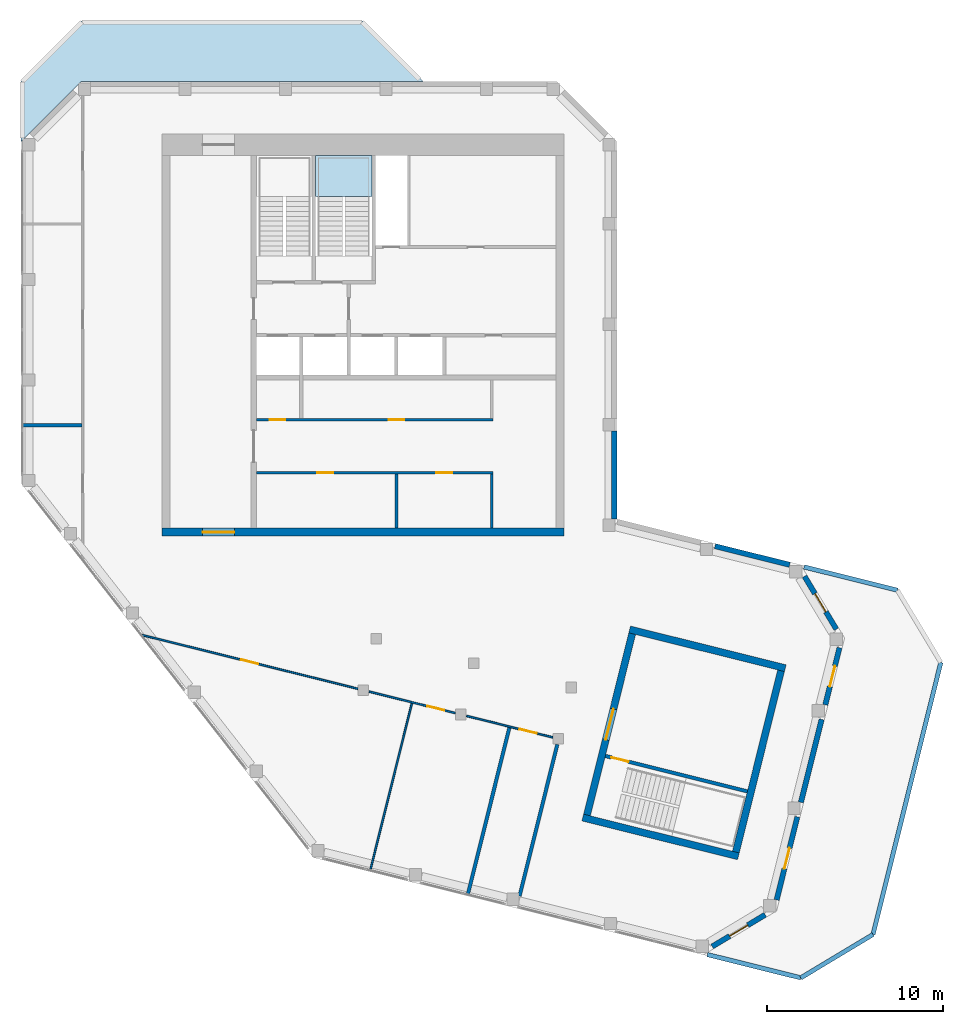
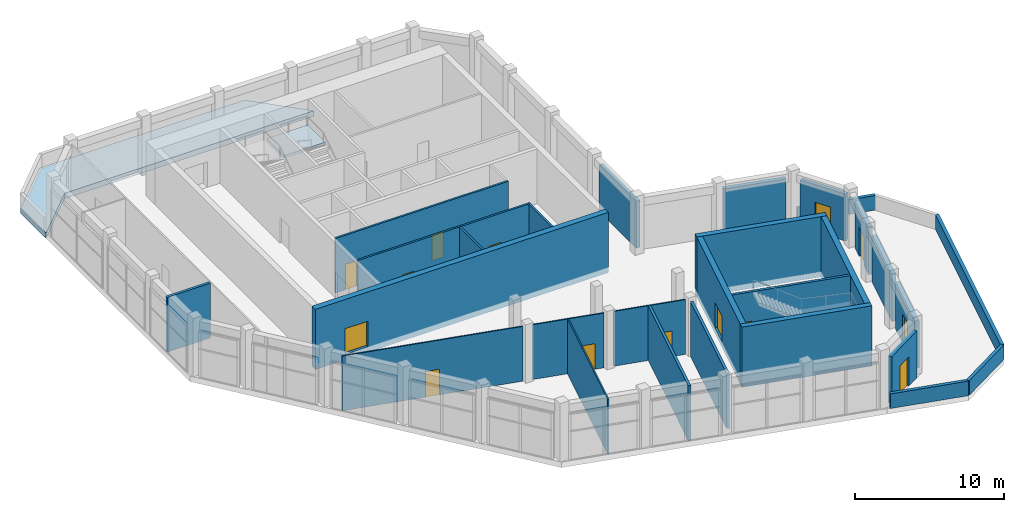
# One storey, part 7 of 10: 28 walls, 14 doors, 2 slabs, 14 openings, 1 element without a shape of its own.
"""IFC4 building model written with IfcOpenShell, lengths in metres."""

from ifc_helpers import new_model, si_unit, direction, frame, frame_2d, origin, place, context, subcontext, project, spatial, polyline, rectangle, outline, extrude, material, layer, layer_set, type_object, element, fill, aggregate, save


model = new_model("IFC4")

# Units and contexts
model_context = context("Model", 3, precision=1e-05, world=origin(), true_north=direction((0.0, 1.0)))
body_context = subcontext(model_context, "Body", "Model", "MODEL_VIEW")
ifc_project = project(units=[si_unit("LENGTHUNIT", "METRE"), si_unit("AREAUNIT", "SQUARE_METRE"), si_unit("VOLUMEUNIT", "CUBIC_METRE"), si_unit("PLANEANGLEUNIT", "RADIAN"), si_unit("MASSUNIT", "GRAM", prefix="KILO")], contexts=[model_context])

# Site, building, storey
site_placement = place(None, origin())
site = spatial("IfcSite", under=ifc_project, at=site_placement, CompositionType="ELEMENT")
building_placement = place(site_placement, origin())
building = spatial("IfcBuilding", under=site, at=building_placement, Name="Meshkara Civic Tower", CompositionType="ELEMENT")
storey_placement = place(building_placement, frame((0.0, 0.0, 419.39990234375)))
storey = spatial("IfcBuildingStorey", under=building, at=storey_placement, Name="L96 Crown", CompositionType="ELEMENT", Elevation=419.39990234375)

# Stair, slab
ifc_material_1 = material(Name="Precast concrete C40/50", Category="concrete")
stair_type = type_object("IfcStairType", Name="Exit stair half-turn 26 risers precast", PredefinedType="HALF_TURN_STAIR", material=ifc_material_1)
stair_placement = place(storey_placement, origin())
stair = element("IfcStair", 1, at=stair_placement, inside=storey, type_object=stair_type, Name="L96 Crown exit stair 2", PredefinedType="HALF_TURN_STAIR")
ifc_material_2 = material(Name="Precast concrete C40/50", Category="concrete")
ifc_layer_1 = layer(ifc_material_2, 0.199951171875)
ifc_layer_set_1 = layer_set([ifc_layer_1], Name="Exit stair landing 200")
slab_type_1 = type_object("IfcSlabType", Name="Exit stair landing 200", PredefinedType="LANDING", material=ifc_layer_set_1)
slab_1_placement = place(storey_placement, frame((0.0, 0.0, 2.2001953125)))
slab_1 = element("IfcSlab", 2, at=slab_1_placement, type_object=slab_type_1, Name="ST2 landing 1", PredefinedType="LANDING", context=body_context, shape_type="SweptSolid", body=[
    extrude(outline(polyline([(19.89990234375, 33.3583984375), (19.89990234375, 35.699951171875), (16.699951171875, 35.699951171875), (16.699951171875, 33.3583984375), (19.89990234375, 33.3583984375)])), origin(), (0.0, 0.0, 1.0), 0.199951171875),
])
aggregate(stair, [slab_1])

# Slab
ifc_material_3 = material(Name="Concrete C50", Category="concrete")
ifc_layer_2 = layer(ifc_material_3, 0.449951171875)
ifc_layer_set_2 = layer_set([ifc_layer_2], Name="Terrace slab 450 C50")
slab_type_2 = type_object("IfcSlabType", Name="Terrace slab 450 C50", PredefinedType="ROOF", material=ifc_layer_set_2)
slab_2_placement = place(storey_placement, frame((0.0, 0.0, -0.449951171875)))
element("IfcSlab", 3, at=slab_2_placement, inside=storey, type_object=slab_type_2, Name="Terrace slab L96 Crown", PredefinedType="ROOF", context=body_context, shape_type="SweptSolid", body=[
    extrude(outline(polyline([(3.419921875, 43.320068359375), (19.3798828125, 43.320068359375), (22.800048828125, 39.89990234375), (3.419921875, 39.89990234375), (0.0, 36.47998046875), (0.0, 39.89990234375), (3.419921875, 43.320068359375)])), origin(), (0.0, 0.0, 1.0), 0.449951171875),
])

# Walls
ifc_material_4 = material(Name="Insulated infill panel with bronze anodised aluminium cladding", Category="aluminium")
ifc_layer_3 = layer(ifc_material_4, 0.300048828125)
ifc_layer_set_3 = layer_set([ifc_layer_3], Name="CROWN WALL 300")
wall_type_1 = type_object("IfcWallType", Name="CROWN WALL 300", PredefinedType="SOLIDWALL", material=ifc_layer_set_3)
wall_1_placement = place(storey_placement, frame((43.60205078125, 12.471923828125, 0.0), z_axis=(0.0, 0.0, 1.0), x_axis=(-0.970257492536, 0.242075191166, 0.0)))
element("IfcWall", 4, at=wall_1_placement, inside=storey, type_object=wall_type_1, Name="Crown external wall", PredefinedType="SOLIDWALL", context=body_context, shape_type="SweptSolid", body=[
    extrude(rectangle(XDim=4.366943359375, YDim=0.300048828125, at=frame_2d((2.18359375, 0.0))), origin(), (0.0, 0.0, 1.0), 3.85009765625),
])
wall_2_placement = place(storey_placement, frame((33.64990234375, 15.069091796875, 0.0), z_axis=(0.0, 0.0, 1.0), x_axis=(0.0, 1.0, 0.0)))
element("IfcWall", 5, at=wall_2_placement, inside=storey, type_object=wall_type_1, Name="Crown external wall", PredefinedType="SOLIDWALL", context=body_context, shape_type="SweptSolid", body=[
    extrude(rectangle(XDim=5.0, YDim=0.300048828125, at=frame_2d((2.5, 0.0))), origin(), (0.0, 0.0, 1.0), 3.85009765625),
])

# Wall, opening, door
wall_3_placement = place(storey_placement, frame((39.208984375, -9.180908203125, 0.0), z_axis=(0.0, 0.0, 1.0), x_axis=(0.857216082003, 0.514956880481, 0.0)))
wall_3 = element("IfcWall", 6, at=wall_3_placement, inside=storey, type_object=wall_type_1, Name="Crown external wall", PredefinedType="SOLIDWALL", context=body_context, shape_type="SweptSolid", body=[
    extrude(rectangle(XDim=3.503173828125, YDim=0.300048828125, at=frame_2d((1.75146484375, 0.0))), origin(), (0.0, 0.0, 1.0), 3.85009765625),
])
opening_1_placement = place(wall_3_placement, frame((1.152099609375, 0.0, 0.0)))
opening_1 = element("IfcOpeningElement", 7, at=opening_1_placement, cuts=wall_3, Name="Opening L96 Crown-L001", PredefinedType="OPENING", context=body_context, shape_type="SweptSolid", body=[
    extrude(rectangle(XDim=1.199951171875, YDim=2.39990234375, at=frame_2d((0.60009765625, 1.199951171875))), frame((0.0, 0.159912109375, 0.0), z_axis=(0.0, -1.0, 0.0), x_axis=(1.0, 0.0, 0.0)), (0.0, 0.0, 1.0), 0.320068359375),
])
ifc_material_5 = material(Name="Steel S355", Category="steel")
door_type_1 = type_object("IfcDoorType", Name="ROOF ACCESS DOOR 1200x2400", OperationType="SINGLE_SWING_LEFT", PredefinedType="DOOR", material=ifc_material_5)
door_1_placement = place(opening_1_placement, origin())
door_1 = element("IfcDoor", 8, at=door_1_placement, inside=storey, type_object=door_type_1, Name="L96 Crown-L001", OperationType="SINGLE_SWING_LEFT", OverallHeight=2.39990234375, OverallWidth=1.199951171875, PredefinedType="DOOR", context=body_context, shape_type="SweptSolid", body=[
    extrude(rectangle(XDim=1.199951171875, YDim=2.39990234375, at=frame_2d((0.60009765625, 1.199951171875))), frame((0.0, 0.02490234375, 0.0), z_axis=(0.0, -1.0, 0.0), x_axis=(1.0, 0.0, 0.0)), (0.0, 0.0, 1.0), 0.050048828125),
])
fill(opening_1, door_1)

wall_4_placement = place(storey_placement, frame((42.863037109375, -6.532958984375, 0.0), z_axis=(0.0, 0.0, 1.0), x_axis=(0.241967314076, 0.970284401049, 0.0)))
wall_4 = element("IfcWall", 9, at=wall_4_placement, inside=storey, type_object=wall_type_1, Name="Crown external wall", PredefinedType="SOLIDWALL", context=body_context, shape_type="SweptSolid", body=[
    extrude(rectangle(XDim=4.852294921875, YDim=0.300048828125, at=frame_2d((2.42626953125, 0.0))), origin(), (0.0, 0.0, 1.0), 3.85009765625),
])
opening_2_placement = place(wall_4_placement, frame((1.825927734375, 0.0, 0.0)))
opening_2 = element("IfcOpeningElement", 10, at=opening_2_placement, cuts=wall_4, Name="Opening L96 Crown-L002", PredefinedType="OPENING", context=body_context, shape_type="SweptSolid", body=[
    extrude(rectangle(XDim=1.199951171875, YDim=2.39990234375, at=frame_2d((0.60009765625, 1.199951171875))), frame((0.0, 0.159912109375, 0.0), z_axis=(0.0, -1.0, 0.0), x_axis=(1.0, 0.0, 0.0)), (0.0, 0.0, 1.0), 0.320068359375),
])
door_2_placement = place(opening_2_placement, origin())
door_2 = element("IfcDoor", 11, at=door_2_placement, inside=storey, type_object=door_type_1, Name="L96 Crown-L002", OperationType="SINGLE_SWING_LEFT", OverallHeight=2.39990234375, OverallWidth=1.199951171875, PredefinedType="DOOR", context=body_context, shape_type="SweptSolid", body=[
    extrude(rectangle(XDim=1.199951171875, YDim=2.39990234375, at=frame_2d((0.60009765625, 1.199951171875))), frame((0.0, 0.02490234375, 0.0), z_axis=(0.0, -1.0, 0.0), x_axis=(1.0, 0.0, 0.0)), (0.0, 0.0, 1.0), 0.050048828125),
])
fill(opening_2, door_2)

# Wall
wall_5_placement = place(storey_placement, frame((44.241943359375, -1.001953125, 0.0), z_axis=(0.0, 0.0, 1.0), x_axis=(0.242014574744, 0.970272614069, 0.0)))
element("IfcWall", 12, at=wall_5_placement, inside=storey, type_object=wall_type_1, Name="Crown external wall", PredefinedType="SOLIDWALL", context=body_context, shape_type="SweptSolid", body=[
    extrude(rectangle(XDim=4.851318359375, YDim=0.300048828125, at=frame_2d((2.42578125, 0.0))), origin(), (0.0, 0.0, 1.0), 3.85009765625),
])

# Wall, opening, door
wall_6_placement = place(storey_placement, frame((45.62109375, 4.528076171875, 0.0), z_axis=(0.0, 0.0, 1.0), x_axis=(0.241933464924, 0.970292841646, 0.0)))
wall_6 = element("IfcWall", 13, at=wall_6_placement, inside=storey, type_object=wall_type_1, Name="Crown external wall", PredefinedType="SOLIDWALL", context=body_context, shape_type="SweptSolid", body=[
    extrude(rectangle(XDim=3.339111328125, YDim=0.300048828125, at=frame_2d((1.66943359375, 0.0))), origin(), (0.0, 0.0, 1.0), 3.85009765625),
])
opening_3_placement = place(wall_6_placement, frame((1.069091796875, 0.0, 0.0)))
opening_3 = element("IfcOpeningElement", 14, at=opening_3_placement, cuts=wall_6, Name="Opening L96 Crown-L003", PredefinedType="OPENING", context=body_context, shape_type="SweptSolid", body=[
    extrude(rectangle(XDim=1.199951171875, YDim=2.39990234375, at=frame_2d((0.60009765625, 1.199951171875))), frame((0.0, 0.159912109375, 0.0), z_axis=(0.0, -1.0, 0.0), x_axis=(1.0, 0.0, 0.0)), (0.0, 0.0, 1.0), 0.320068359375),
])
door_3_placement = place(opening_3_placement, origin())
door_3 = element("IfcDoor", 15, at=door_3_placement, inside=storey, type_object=door_type_1, Name="L96 Crown-L003", OperationType="SINGLE_SWING_LEFT", OverallHeight=2.39990234375, OverallWidth=1.199951171875, PredefinedType="DOOR", context=body_context, shape_type="SweptSolid", body=[
    extrude(rectangle(XDim=1.199951171875, YDim=2.39990234375, at=frame_2d((0.60009765625, 1.199951171875))), frame((0.0, 0.02490234375, 0.0), z_axis=(0.0, -1.0, 0.0), x_axis=(1.0, 0.0, 0.0)), (0.0, 0.0, 1.0), 0.050048828125),
])
fill(opening_3, door_3)

wall_7_placement = place(storey_placement, frame((46.25, 8.818115234375, 0.0), z_axis=(0.0, 0.0, 1.0), x_axis=(-0.514956880481, 0.857216082003, 0.0)))
wall_7 = element("IfcWall", 16, at=wall_7_placement, inside=storey, type_object=wall_type_1, Name="Crown external wall", PredefinedType="SOLIDWALL", context=body_context, shape_type="SweptSolid", body=[
    extrude(rectangle(XDim=3.503173828125, YDim=0.300048828125, at=frame_2d((1.75146484375, 0.0))), origin(), (0.0, 0.0, 1.0), 3.85009765625),
])
opening_4_placement = place(wall_7_placement, frame((1.152099609375, 0.0, 0.0)))
opening_4 = element("IfcOpeningElement", 17, at=opening_4_placement, cuts=wall_7, Name="Opening L96 Crown-L004", PredefinedType="OPENING", context=body_context, shape_type="SweptSolid", body=[
    extrude(rectangle(XDim=1.199951171875, YDim=2.39990234375, at=frame_2d((0.60009765625, 1.199951171875))), frame((0.0, 0.159912109375, 0.0), z_axis=(0.0, -1.0, 0.0), x_axis=(1.0, 0.0, 0.0)), (0.0, 0.0, 1.0), 0.320068359375),
])
door_4_placement = place(opening_4_placement, origin())
door_4 = element("IfcDoor", 18, at=door_4_placement, inside=storey, type_object=door_type_1, Name="L96 Crown-L004", OperationType="SINGLE_SWING_LEFT", OverallHeight=2.39990234375, OverallWidth=1.199951171875, PredefinedType="DOOR", context=body_context, shape_type="SweptSolid", body=[
    extrude(rectangle(XDim=1.199951171875, YDim=2.39990234375, at=frame_2d((0.60009765625, 1.199951171875))), frame((0.0, 0.02490234375, 0.0), z_axis=(0.0, -1.0, 0.0), x_axis=(1.0, 0.0, 0.0)), (0.0, 0.0, 1.0), 0.050048828125),
])
fill(opening_4, door_4)

# Wall, openings, doors
ifc_material_6 = material(Name="Blockwork", Category="masonry")
ifc_layer_4 = layer(ifc_material_6, 0.14990234375)
ifc_layer_set_4 = layer_set([ifc_layer_4], Name="Core partition 150")
wall_type_2 = type_object("IfcWallType", Name="Core partition 150", PredefinedType="PARTITIONING", material=ifc_layer_set_4)
wall_8_placement = place(storey_placement, frame((13.35009765625, 17.699951171875, 0.0), z_axis=(0.0, 0.0, 1.0), x_axis=(1.0, 0.0, 0.0)))
wall_8 = element("IfcWall", 19, at=wall_8_placement, inside=storey, type_object=wall_type_2, Name="L96 Crown-C005", PredefinedType="PARTITIONING", context=body_context, shape_type="SweptSolid", body=[
    extrude(rectangle(XDim=13.4248046875, YDim=0.14990234375, at=frame_2d((6.71240234375, 0.0))), origin(), (0.0, 0.0, 1.0), 4.5),
])
opening_5_placement = place(wall_8_placement, frame((3.449951171875, 0.0, 0.0)))
opening_5 = element("IfcOpeningElement", 20, at=opening_5_placement, cuts=wall_8, Name="Opening L96 Crown-K005", PredefinedType="OPENING", context=body_context, shape_type="SweptSolid", body=[
    extrude(rectangle(XDim=0.89990234375, YDim=2.10009765625, at=frame_2d((0.449951171875, 1.050048828125))), frame((0.0, 0.0849609375, 0.0), z_axis=(0.0, -1.0, 0.0), x_axis=(1.0, 0.0, 0.0)), (0.0, 0.0, 1.0), 0.169921875),
])
opening_6_placement = place(wall_8_placement, frame((10.199951171875, 0.0, 0.0)))
opening_6 = element("IfcOpeningElement", 21, at=opening_6_placement, cuts=wall_8, Name="Opening L96 Crown-K006", PredefinedType="OPENING", context=body_context, shape_type="SweptSolid", body=[
    extrude(rectangle(XDim=0.89990234375, YDim=2.10009765625, at=frame_2d((0.449951171875, 1.050048828125))), frame((0.0, 0.0849609375, 0.0), z_axis=(0.0, -1.0, 0.0), x_axis=(1.0, 0.0, 0.0)), (0.0, 0.0, 1.0), 0.169921875),
])
ifc_material_7 = material(Name="Timber door leaf in steel frame", Category="steel")
door_type_2 = type_object("IfcDoorType", Name="Core room door 900", OperationType="SINGLE_SWING_LEFT", PredefinedType="DOOR", material=ifc_material_7)
door_5_placement = place(opening_5_placement, origin())
door_5 = element("IfcDoor", 22, at=door_5_placement, inside=storey, type_object=door_type_2, Name="L96 Crown-K005", OperationType="SINGLE_SWING_LEFT", OverallHeight=2.10009765625, OverallWidth=0.89990234375, PredefinedType="DOOR", context=body_context, shape_type="SweptSolid", body=[
    extrude(rectangle(XDim=0.89990234375, YDim=2.10009765625, at=frame_2d((0.449951171875, 1.050048828125))), frame((0.0, 0.02490234375, 0.0), z_axis=(0.0, -1.0, 0.0), x_axis=(1.0, 0.0, 0.0)), (0.0, 0.0, 1.0), 0.050048828125),
])
fill(opening_5, door_5)
door_6_placement = place(opening_6_placement, origin())
door_6 = element("IfcDoor", 23, at=door_6_placement, inside=storey, type_object=door_type_2, Name="L96 Crown-K006", OperationType="SINGLE_SWING_LEFT", OverallHeight=2.10009765625, OverallWidth=0.89990234375, PredefinedType="DOOR", context=body_context, shape_type="SweptSolid", body=[
    extrude(rectangle(XDim=0.89990234375, YDim=2.10009765625, at=frame_2d((0.449951171875, 1.050048828125))), frame((0.0, 0.02490234375, 0.0), z_axis=(0.0, -1.0, 0.0), x_axis=(1.0, 0.0, 0.0)), (0.0, 0.0, 1.0), 0.050048828125),
])
fill(opening_6, door_6)

wall_9_placement = place(storey_placement, frame((13.35009765625, 20.699951171875, 0.0), z_axis=(0.0, 0.0, 1.0), x_axis=(1.0, 0.0, 0.0)))
wall_9 = element("IfcWall", 24, at=wall_9_placement, inside=storey, type_object=wall_type_2, Name="L96 Crown-C006", PredefinedType="PARTITIONING", context=body_context, shape_type="SweptSolid", body=[
    extrude(rectangle(XDim=13.4248046875, YDim=0.14990234375, at=frame_2d((6.71240234375, 0.0))), origin(), (0.0, 0.0, 1.0), 4.5),
])
opening_7_placement = place(wall_9_placement, frame((0.75, 0.0, 0.0)))
opening_7 = element("IfcOpeningElement", 25, at=opening_7_placement, cuts=wall_9, Name="Opening L96 Crown-K007", PredefinedType="OPENING", context=body_context, shape_type="SweptSolid", body=[
    extrude(rectangle(XDim=0.89990234375, YDim=2.10009765625, at=frame_2d((0.449951171875, 1.050048828125))), frame((0.0, 0.0849609375, 0.0), z_axis=(0.0, -1.0, 0.0), x_axis=(1.0, 0.0, 0.0)), (0.0, 0.0, 1.0), 0.169921875),
])
opening_8_placement = place(wall_9_placement, frame((7.5, 0.0, 0.0)))
opening_8 = element("IfcOpeningElement", 26, at=opening_8_placement, cuts=wall_9, Name="Opening L96 Crown-K008", PredefinedType="OPENING", context=body_context, shape_type="SweptSolid", body=[
    extrude(rectangle(XDim=0.89990234375, YDim=2.10009765625, at=frame_2d((0.449951171875, 1.050048828125))), frame((0.0, 0.0849609375, 0.0), z_axis=(0.0, -1.0, 0.0), x_axis=(1.0, 0.0, 0.0)), (0.0, 0.0, 1.0), 0.169921875),
])
door_7_placement = place(opening_7_placement, origin())
door_7 = element("IfcDoor", 27, at=door_7_placement, inside=storey, type_object=door_type_2, Name="L96 Crown-K007", OperationType="SINGLE_SWING_RIGHT", OverallHeight=2.10009765625, OverallWidth=0.89990234375, PredefinedType="DOOR", context=body_context, shape_type="SweptSolid", body=[
    extrude(rectangle(XDim=0.89990234375, YDim=2.10009765625, at=frame_2d((0.449951171875, 1.050048828125))), frame((0.0, 0.02490234375, 0.0), z_axis=(0.0, -1.0, 0.0), x_axis=(1.0, 0.0, 0.0)), (0.0, 0.0, 1.0), 0.050048828125),
])
fill(opening_7, door_7)
door_8_placement = place(opening_8_placement, origin())
door_8 = element("IfcDoor", 28, at=door_8_placement, inside=storey, type_object=door_type_2, Name="L96 Crown-K008", OperationType="SINGLE_SWING_LEFT", OverallHeight=2.10009765625, OverallWidth=0.89990234375, PredefinedType="DOOR", context=body_context, shape_type="SweptSolid", body=[
    extrude(rectangle(XDim=0.89990234375, YDim=2.10009765625, at=frame_2d((0.449951171875, 1.050048828125))), frame((0.0, 0.02490234375, 0.0), z_axis=(0.0, -1.0, 0.0), x_axis=(1.0, 0.0, 0.0)), (0.0, 0.0, 1.0), 0.050048828125),
])
fill(opening_8, door_8)

# Walls
for number, where, z_axis, x_axis, name in (
    (29, (21.300048828125, 14.550048828125, 0.0), (0.0, 0.0, 1.0), (0.0, 1.0, 0.0), "L96 Crown-C016"),
    (30, (26.699951171875, 14.550048828125, 0.0), (0.0, 0.0, 1.0), (0.0, 1.0, 0.0), "L96 Crown-C020"),
):
    element("IfcWall", number, at=place(storey_placement, frame(where, z_axis=z_axis, x_axis=x_axis)), inside=storey, type_object=wall_type_2, Name=name, PredefinedType="PARTITIONING", context=body_context, shape_type="SweptSolid", body=[
        extrude(rectangle(XDim=3.074951171875, YDim=0.14990234375, at=frame_2d((1.53759765625, 0.0))), origin(), (0.0, 0.0, 1.0), 4.5),
    ])

# Wall, opening, door
ifc_material_8 = material(Name="Concrete C50", Category="concrete")
ifc_layer_5 = layer(ifc_material_8, 0.449951171875)
ifc_layer_set_5 = layer_set([ifc_layer_5], Name="Core ring wall 450 C50")
wall_type_3 = type_object("IfcWallType", Name="Core ring wall 450 C50", PredefinedType="SHEAR", material=ifc_layer_set_5)
wall_10_placement = place(storey_placement, frame((8.0, 14.324951171875, -0.449951171875), z_axis=(0.0, 0.0, 1.0), x_axis=(1.0, 0.0, 0.0)))
wall_10 = element("IfcWall", 31, at=wall_10_placement, inside=storey, type_object=wall_type_3, Name="L96 Crown-C001", PredefinedType="SHEAR", context=body_context, shape_type="SweptSolid", body=[
    extrude(rectangle(XDim=22.800048828125, YDim=0.449951171875, at=frame_2d((11.39990234375, 0.0))), origin(), (0.0, 0.0, 1.0), 4.949951171875),
])
opening_9_placement = place(wall_10_placement, frame((2.300048828125, 0.0, 0.449951171875)))
opening_9 = element("IfcOpeningElement", 32, at=opening_9_placement, cuts=wall_10, Name="Opening L96 Crown-K018", PredefinedType="OPENING", context=body_context, shape_type="SweptSolid", body=[
    extrude(rectangle(XDim=1.800048828125, YDim=2.10009765625, at=frame_2d((0.89990234375, 1.050048828125))), frame((0.0, 0.23486328125, 0.0), z_axis=(0.0, -1.0, 0.0), x_axis=(1.0, 0.0, 0.0)), (0.0, 0.0, 1.0), 0.469970703125),
])
ifc_material_9 = material(Name="Fire-rated door leaf in steel frame", Category="steel")
door_type_3 = type_object("IfcDoorType", Name="Core double door 1800 EI 60", OperationType="DOUBLE_DOOR_SINGLE_SWING", PredefinedType="DOOR", material=ifc_material_9)
door_9_placement = place(opening_9_placement, origin())
door_9 = element("IfcDoor", 33, at=door_9_placement, inside=storey, type_object=door_type_3, Name="L96 Crown-K018", OperationType="DOUBLE_DOOR_SINGLE_SWING", OverallHeight=2.10009765625, OverallWidth=1.800048828125, PredefinedType="DOOR", context=body_context, shape_type="SweptSolid", body=[
    extrude(rectangle(XDim=1.800048828125, YDim=2.10009765625, at=frame_2d((0.89990234375, 1.050048828125))), frame((0.0, 0.02490234375, 0.0), z_axis=(0.0, -1.0, 0.0), x_axis=(1.0, 0.0, 0.0)), (0.0, 0.0, 1.0), 0.050048828125),
])
fill(opening_9, door_9)

ifc_material_10 = material(Name="Corridor wall 100")
ifc_layer_6 = layer(ifc_material_10, 0.10009765625)
ifc_layer_set_6 = layer_set([ifc_layer_6], Name="Corridor wall 100")
wall_type_4 = type_object("IfcWallType", Name="Corridor wall 100", PredefinedType="PARTITIONING", material=ifc_layer_set_6)
wall_11_placement = place(storey_placement, frame((6.819580078125, 8.503173828125, 0.0), z_axis=(0.0, 0.0, 1.0), x_axis=(0.970288651432, -0.241950269482, 0.0)))
wall_11 = element("IfcWall", 34, at=wall_11_placement, inside=storey, type_object=wall_type_4, Name="L96 Crown-R002", PredefinedType="PARTITIONING", context=body_context, shape_type="SweptSolid", body=[
    extrude(rectangle(XDim=12.66064453125, YDim=0.10009765625, at=frame_2d((6.330322265625, 0.0))), origin(), (0.0, 0.0, 1.0), 4.5),
])
opening_10_placement = place(wall_11_placement, frame((5.8359375, 0.0, 0.0)))
opening_10 = element("IfcOpeningElement", 35, at=opening_10_placement, cuts=wall_11, Name="Opening L96 Crown-P003", PredefinedType="OPENING", context=body_context, shape_type="SweptSolid", body=[
    extrude(rectangle(XDim=1.0, YDim=2.10009765625, at=frame_2d((0.5, 1.050048828125))), frame((0.0, 0.06005859375, 0.0), z_axis=(0.0, -1.0, 0.0), x_axis=(1.0, 0.0, 0.0)), (0.0, 0.0, 1.0), 0.1201171875),
])
ifc_material_11 = material(Name="Door 1000 x 2100")
door_type_4 = type_object("IfcDoorType", Name="Door 1000 x 2100", OperationType="SINGLE_SWING_LEFT", PredefinedType="DOOR", material=ifc_material_11)
door_10_placement = place(opening_10_placement, origin())
door_10 = element("IfcDoor", 36, at=door_10_placement, inside=storey, type_object=door_type_4, Name="L96 Crown-P003", OperationType="SINGLE_SWING_LEFT", OverallHeight=2.10009765625, OverallWidth=1.0, PredefinedType="DOOR", context=body_context, shape_type="SweptSolid", body=[
    extrude(rectangle(XDim=1.0, YDim=2.10009765625, at=frame_2d((0.5, 1.050048828125))), frame((0.0, 0.02490234375, 0.0), z_axis=(0.0, -1.0, 0.0), x_axis=(1.0, 0.0, 0.0)), (0.0, 0.0, 1.0), 0.050048828125),
])
fill(opening_10, door_10)

wall_12_placement = place(storey_placement, frame((19.743896484375, 5.281005859375, 0.0), z_axis=(0.0, 0.0, 1.0), x_axis=(0.970262058426, -0.242056889963, 0.0)))
wall_12 = element("IfcWall", 37, at=wall_12_placement, inside=storey, type_object=wall_type_4, Name="L96 Crown-R003", PredefinedType="PARTITIONING", context=body_context, shape_type="SweptSolid", body=[
    extrude(rectangle(XDim=5.0400390625, YDim=0.10009765625, at=frame_2d((2.52001953125, 0.0))), origin(), (0.0, 0.0, 1.0), 4.5),
])
opening_11_placement = place(wall_12_placement, frame((3.39892578125, 0.0, 0.0)))
opening_11 = element("IfcOpeningElement", 38, at=opening_11_placement, cuts=wall_12, Name="Opening L96 Crown-P001", PredefinedType="OPENING", context=body_context, shape_type="SweptSolid", body=[
    extrude(rectangle(XDim=1.0, YDim=2.10009765625, at=frame_2d((0.5, 1.050048828125))), frame((0.0, 0.06005859375, 0.0), z_axis=(0.0, -1.0, 0.0), x_axis=(1.0, 0.0, 0.0)), (0.0, 0.0, 1.0), 0.1201171875),
])
door_11_placement = place(opening_11_placement, origin())
door_11 = element("IfcDoor", 39, at=door_11_placement, inside=storey, type_object=door_type_4, Name="L96 Crown-P001", OperationType="SINGLE_SWING_LEFT", OverallHeight=2.10009765625, OverallWidth=1.0, PredefinedType="DOOR", context=body_context, shape_type="SweptSolid", body=[
    extrude(rectangle(XDim=1.0, YDim=2.10009765625, at=frame_2d((0.5, 1.050048828125))), frame((0.0, 0.02490234375, 0.0), z_axis=(0.0, -1.0, 0.0), x_axis=(1.0, 0.0, 0.0)), (0.0, 0.0, 1.0), 0.050048828125),
])
fill(opening_11, door_11)

wall_13_placement = place(storey_placement, frame((25.27392578125, 3.90087890625, 0.0), z_axis=(0.0, 0.0, 1.0), x_axis=(0.970318883063, -0.241828999857, 0.0)))
wall_13 = element("IfcWall", 40, at=wall_13_placement, inside=storey, type_object=wall_type_4, Name="L96 Crown-R004", PredefinedType="PARTITIONING", context=body_context, shape_type="SweptSolid", body=[
    extrude(rectangle(XDim=5.040771484375, YDim=0.10009765625, at=frame_2d((2.5205078125, 0.0))), origin(), (0.0, 0.0, 1.0), 4.5),
])
opening_12_placement = place(wall_13_placement, frame((3.10107421875, 0.0, 0.0)))
opening_12 = element("IfcOpeningElement", 41, at=opening_12_placement, cuts=wall_13, Name="Opening L96 Crown-P002", PredefinedType="OPENING", context=body_context, shape_type="SweptSolid", body=[
    extrude(rectangle(XDim=1.0, YDim=2.10009765625, at=frame_2d((0.5, 1.050048828125))), frame((0.0, 0.06005859375, 0.0), z_axis=(0.0, -1.0, 0.0), x_axis=(1.0, 0.0, 0.0)), (0.0, 0.0, 1.0), 0.1201171875),
])
door_12_placement = place(opening_12_placement, origin())
door_12 = element("IfcDoor", 42, at=door_12_placement, inside=storey, type_object=door_type_4, Name="L96 Crown-P002", OperationType="SINGLE_SWING_LEFT", OverallHeight=2.10009765625, OverallWidth=1.0, PredefinedType="DOOR", context=body_context, shape_type="SweptSolid", body=[
    extrude(rectangle(XDim=1.0, YDim=2.10009765625, at=frame_2d((0.5, 1.050048828125))), frame((0.0, 0.02490234375, 0.0), z_axis=(0.0, -1.0, 0.0), x_axis=(1.0, 0.0, 0.0)), (0.0, 0.0, 1.0), 0.050048828125),
])
fill(opening_12, door_12)

# Walls
ifc_material_12 = material(Name="Concrete C50", Category="concrete")
ifc_layer_7 = layer(ifc_material_12, 0.39990234375)
ifc_layer_set_7 = layer_set([ifc_layer_7], Name="End core ring wall 400 C50")
wall_type_5 = type_object("IfcWallType", Name="End core ring wall 400 C50", PredefinedType="SHEAR", material=ifc_layer_set_7)
wall_14_placement = place(storey_placement, frame((31.865966796875, -1.864013671875, -0.449951171875), z_axis=(0.0, 0.0, 1.0), x_axis=(0.970281225948, -0.241980045814, 0.0)))
element("IfcWall", 43, at=wall_14_placement, inside=storey, type_object=wall_type_5, Name="L96 Crown-C022", PredefinedType="SHEAR", context=body_context, shape_type="SweptSolid", body=[
    extrude(rectangle(XDim=9.099609375, YDim=0.39990234375, at=frame_2d((4.5498046875, 0.0))), origin(), (0.0, 0.0, 1.0), 4.949951171875),
])
wall_15_placement = place(storey_placement, frame((34.527099609375, 8.80908203125, -0.449951171875), z_axis=(0.0, 0.0, 1.0), x_axis=(0.970273354879, -0.242011604707, 0.0)))
element("IfcWall", 44, at=wall_15_placement, inside=storey, type_object=wall_type_5, Name="L96 Crown-C023", PredefinedType="SHEAR", context=body_context, shape_type="SweptSolid", body=[
    extrude(rectangle(XDim=9.099365234375, YDim=0.39990234375, at=frame_2d((4.5498046875, 0.0))), origin(), (0.0, 0.0, 1.0), 4.949951171875),
])

# Wall, opening, door
wall_16_placement = place(storey_placement, frame((32.10791015625, -1.718994140625, -0.449951171875), z_axis=(0.0, 0.0, 1.0), x_axis=(0.241912337509, 0.970298109326, 0.0)))
wall_16 = element("IfcWall", 45, at=wall_16_placement, inside=storey, type_object=wall_type_5, Name="L96 Crown-C024", PredefinedType="SHEAR", context=body_context, shape_type="SweptSolid", body=[
    extrude(rectangle(XDim=10.599853515625, YDim=0.39990234375, at=frame_2d((5.2998046875, 0.0))), origin(), (0.0, 0.0, 1.0), 4.949951171875),
])
opening_13_placement = place(wall_16_placement, frame((4.39990234375, 0.0, 0.449951171875)))
opening_13 = element("IfcOpeningElement", 46, at=opening_13_placement, cuts=wall_16, Name="Opening L96 Crown-K202", PredefinedType="OPENING", context=body_context, shape_type="SweptSolid", body=[
    extrude(rectangle(XDim=1.800048828125, YDim=2.10009765625, at=frame_2d((0.89990234375, 1.050048828125))), frame((0.0, 0.2099609375, 0.0), z_axis=(0.0, -1.0, 0.0), x_axis=(1.0, 0.0, 0.0)), (0.0, 0.0, 1.0), 0.419921875),
])
door_13_placement = place(opening_13_placement, origin())
door_13 = element("IfcDoor", 47, at=door_13_placement, inside=storey, type_object=door_type_3, Name="L96 Crown-K202", OperationType="DOUBLE_DOOR_SINGLE_SWING", OverallHeight=2.10009765625, OverallWidth=1.800048828125, PredefinedType="DOOR", context=body_context, shape_type="SweptSolid", body=[
    extrude(rectangle(XDim=1.800048828125, YDim=2.10009765625, at=frame_2d((0.89990234375, 1.050048828125))), frame((0.0, 0.02490234375, 0.0), z_axis=(0.0, -1.0, 0.0), x_axis=(1.0, 0.0, 0.0)), (0.0, 0.0, 1.0), 0.050048828125),
])
fill(opening_13, door_13)

# Walls
wall_17_placement = place(storey_placement, frame((40.550048828125, -3.822998046875, -0.449951171875), z_axis=(0.0, 0.0, 1.0), x_axis=(0.241890652548, 0.970303515509, 0.0)))
element("IfcWall", 48, at=wall_17_placement, inside=storey, type_object=wall_type_5, Name="L96 Crown-C025", PredefinedType="SHEAR", context=body_context, shape_type="SweptSolid", body=[
    extrude(rectangle(XDim=10.599609375, YDim=0.39990234375, at=frame_2d((5.2998046875, 0.0))), origin(), (0.0, 0.0, 1.0), 4.949951171875),
])
ifc_material_13 = material(Name="Fire-rated wall 200")
ifc_layer_8 = layer(ifc_material_13, 0.199951171875)
ifc_layer_set_8 = layer_set([ifc_layer_8], Name="Fire-rated wall 200")
wall_type_6 = type_object("IfcWallType", Name="Fire-rated wall 200", PredefinedType="PARTITIONING", material=ifc_layer_set_8)
wall_18_placement = place(storey_placement, frame((30.425048828125, 2.281982421875, 0.0), z_axis=(0.0, 0.0, 1.0), x_axis=(-0.241828998562, -0.970318883385, 0.0)))
element("IfcWall", 49, at=wall_18_placement, inside=storey, type_object=wall_type_6, Name="L96 Crown-R005", PredefinedType="PARTITIONING", context=body_context, shape_type="SweptSolid", body=[
    extrude(rectangle(XDim=8.86181640625, YDim=0.199951171875, at=frame_2d((4.430908203125, 0.0))), origin(), (0.0, 0.0, 1.0), 4.5),
])
wall_19_placement = place(storey_placement, frame((3.449951171875, 20.39990234375, 0.0), z_axis=(0.0, 0.0, 1.0), x_axis=(-1.0, 0.0, 0.0)))
element("IfcWall", 50, at=wall_19_placement, inside=storey, type_object=wall_type_6, Name="L96 Crown-R006", PredefinedType="PARTITIONING", context=body_context, shape_type="SweptSolid", body=[
    extrude(rectangle(XDim=3.3759765625, YDim=0.199951171875, at=frame_2d((1.68798828125, 0.0))), origin(), (0.0, 0.0, 1.0), 4.5),
])
wall_20_placement = place(storey_placement, frame((25.34228515625, -6.2421875, 0.0), z_axis=(0.0, 0.0, 1.0), x_axis=(0.242024303443, 0.970270187393, 0.0)))
element("IfcWall", 51, at=wall_20_placement, inside=storey, type_object=wall_type_6, Name="L96 Crown-R009", PredefinedType="PARTITIONING", context=body_context, shape_type="SweptSolid", body=[
    extrude(rectangle(XDim=9.774658203125, YDim=0.199951171875, at=frame_2d((4.88720703125, 0.0))), origin(), (0.0, 0.0, 1.0), 4.5),
])
ifc_material_14 = material(Name="Partition 100")
ifc_layer_9 = layer(ifc_material_14, 0.10009765625)
ifc_layer_set_9 = layer_set([ifc_layer_9], Name="Partition 100")
wall_type_7 = type_object("IfcWallType", Name="Partition 100", PredefinedType="PARTITIONING", material=ifc_layer_set_9)
wall_21_placement = place(storey_placement, frame((19.812255859375, -4.86328125, 0.0), z_axis=(0.0, 0.0, 1.0), x_axis=(0.241900932466, 0.970300952732, 0.0)))
element("IfcWall", 52, at=wall_21_placement, inside=storey, type_object=wall_type_7, Name="L96 Crown-R008", PredefinedType="PARTITIONING", context=body_context, shape_type="SweptSolid", body=[
    extrude(rectangle(XDim=9.775634765625, YDim=0.10009765625, at=frame_2d((4.8876953125, 0.0))), origin(), (0.0, 0.0, 1.0), 4.5),
])
ifc_material_15 = material(Name="Concrete C40", Category="concrete")
ifc_layer_10 = layer(ifc_material_15, 0.25)
ifc_layer_set_10 = layer_set([ifc_layer_10], Name="ROOF PARAPET 250")
wall_type_8 = type_object("IfcWallType", Name="ROOF PARAPET 250", PredefinedType="PARAPET", material=ifc_layer_set_10)
wall_22_placement = place(storey_placement, frame((44.4189453125, 12.35107421875, 0.0), z_axis=(0.0, 0.0, 1.0), x_axis=(0.970281759871, -0.241977904902, 0.0)))
element("IfcWall", 53, at=wall_22_placement, inside=storey, type_object=wall_type_8, Name="Roof parapet", PredefinedType="PARAPET", context=body_context, shape_type="SweptSolid", body=[
    extrude(rectangle(XDim=5.45947265625, YDim=0.25, at=frame_2d((2.729736328125, 0.0))), origin(), (0.0, 0.0, 1.0), 1.2001953125),
])
wall_23_placement = place(storey_placement, frame((52.177001953125, 6.93408203125, 0.0), z_axis=(0.0, 0.0, 1.0), x_axis=(-0.241907030728, -0.970299432384, 0.0)))
element("IfcWall", 54, at=wall_23_placement, inside=storey, type_object=wall_type_8, Name="Roof parapet", PredefinedType="PARAPET", context=body_context, shape_type="SweptSolid", body=[
    extrude(rectangle(XDim=15.902587890625, YDim=0.25, at=frame_2d((7.951171875, 0.0))), origin(), (0.0, 0.0, 1.0), 1.2001953125),
])
wall_24_placement = place(storey_placement, frame((48.330078125, -8.49609375, 0.0), z_axis=(0.0, 0.0, 1.0), x_axis=(-0.857195255703, -0.514991547115, 0.0)))
element("IfcWall", 55, at=wall_24_placement, inside=storey, type_object=wall_type_8, Name="Roof parapet", PredefinedType="PARAPET", context=body_context, shape_type="SweptSolid", body=[
    extrude(rectangle(XDim=4.778564453125, YDim=0.25, at=frame_2d((2.38916015625, 0.0))), origin(), (0.0, 0.0, 1.0), 1.2001953125),
])
wall_25_placement = place(storey_placement, frame((44.23388671875, -10.95703125, 0.0), z_axis=(0.0, 0.0, 1.0), x_axis=(-0.970279141219, 0.24198840492, 0.0)))
element("IfcWall", 56, at=wall_25_placement, inside=storey, type_object=wall_type_8, Name="Roof parapet", PredefinedType="PARAPET", context=body_context, shape_type="SweptSolid", body=[
    extrude(rectangle(XDim=5.459228515625, YDim=0.25, at=frame_2d((2.7294921875, 0.0))), origin(), (0.0, 0.0, 1.0), 1.2001953125),
])

# Wall, opening, door
ifc_material_16 = material(Name="Concrete C40/50", Category="concrete")
ifc_layer_11 = layer(ifc_material_16, 0.199951171875)
ifc_layer_set_11 = layer_set([ifc_layer_11], Name="Stair enclosure wall 200 C40/50")
wall_type_9 = type_object("IfcWallType", Name="Stair enclosure wall 200 C40/50", PredefinedType="SOLIDWALL", material=ifc_layer_set_11)
wall_26_placement = place(storey_placement, frame((33.14892578125, 1.62890625, 0.0), z_axis=(0.0, 0.0, 1.0), x_axis=(0.970296307498, -0.241919564434, 0.0)))
wall_26 = element("IfcWall", 57, at=wall_26_placement, inside=storey, type_object=wall_type_9, Name="L96 Crown-C026", PredefinedType="SOLIDWALL", context=body_context, shape_type="SweptSolid", body=[
    extrude(rectangle(XDim=8.299560546875, YDim=0.199951171875, at=frame_2d((4.14990234375, 0.0))), origin(), (0.0, 0.0, 1.0), 4.5),
])
opening_14_placement = place(wall_26_placement, frame((0.35009765625, 0.0, 0.0)))
opening_14 = element("IfcOpeningElement", 58, at=opening_14_placement, cuts=wall_26, Name="Opening L96 Crown-K201", PredefinedType="OPENING", context=body_context, shape_type="SweptSolid", body=[
    extrude(rectangle(XDim=1.0, YDim=2.10009765625, at=frame_2d((0.5, 1.050048828125))), frame((0.0, 0.10986328125, 0.0), z_axis=(0.0, -1.0, 0.0), x_axis=(1.0, 0.0, 0.0)), (0.0, 0.0, 1.0), 0.219970703125),
])
ifc_material_17 = material(Name="Fire-rated door leaf in steel frame", Category="steel")
door_type_5 = type_object("IfcDoorType", Name="Stair door 1000 EI 120", OperationType="SINGLE_SWING_LEFT", PredefinedType="DOOR", material=ifc_material_17)
door_14_placement = place(opening_14_placement, origin())
door_14 = element("IfcDoor", 59, at=door_14_placement, inside=storey, type_object=door_type_5, Name="L96 Crown-K201", OperationType="SINGLE_SWING_LEFT", OverallHeight=2.10009765625, OverallWidth=1.0, PredefinedType="DOOR", context=body_context, shape_type="SweptSolid", body=[
    extrude(rectangle(XDim=1.0, YDim=2.10009765625, at=frame_2d((0.5, 1.050048828125))), frame((0.0, 0.02490234375, 0.0), z_axis=(0.0, -1.0, 0.0), x_axis=(1.0, 0.0, 0.0)), (0.0, 0.0, 1.0), 0.050048828125),
])
fill(opening_14, door_14)

save(model, "model.ifc")
